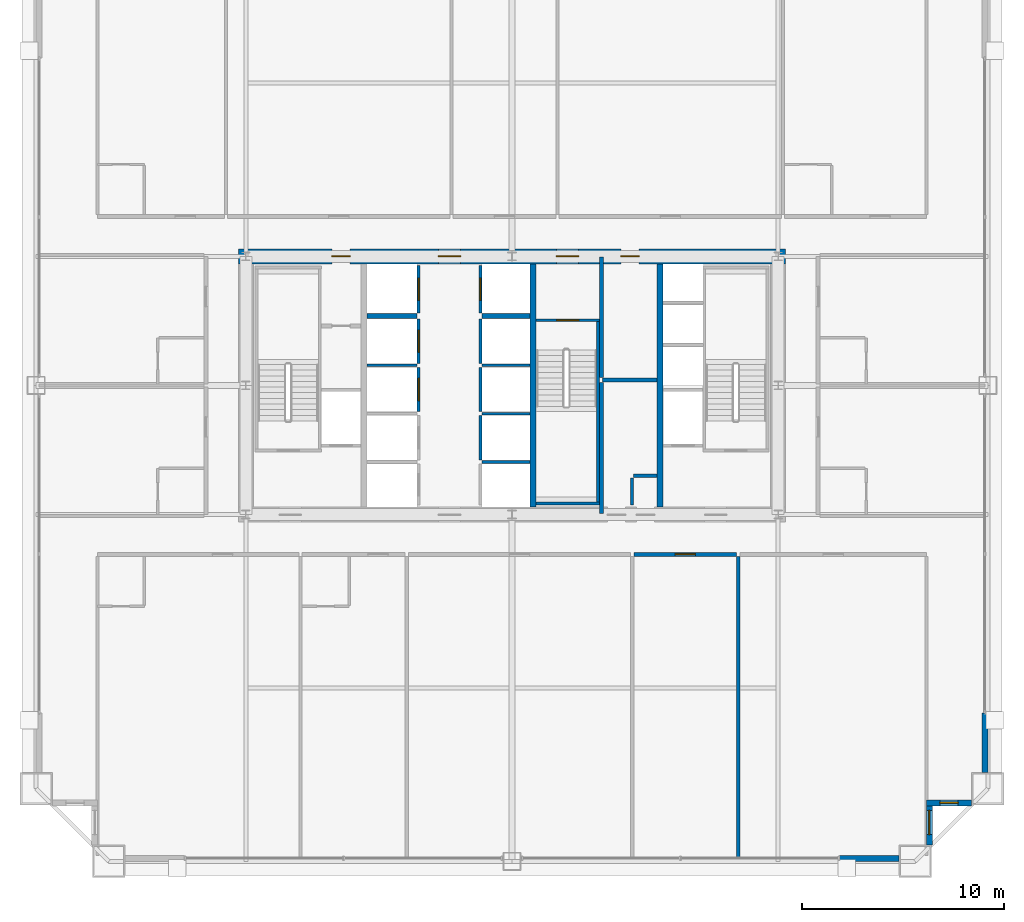
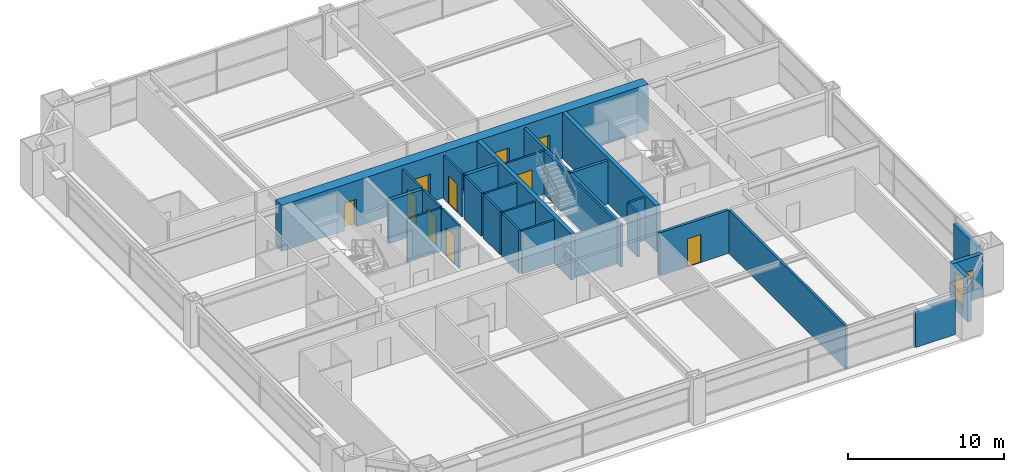
# One storey, part 36 of 39: 30 walls, 10 doors, 2 windows, 12 openings.
"""IFC4 building model written with IfcOpenShell, lengths in metres."""

import ifcopenshell
import ifcopenshell.guid

model = None  # the IFC model being written
_history = None  # IfcOwnerHistory: only IFC2X3 demands one
_inside = {}  # id of a spatial element -> (the spatial element, [elements in it])
_under = {}  # id of a project, library or spatial element -> (it, [spatial elements below it])
_declared = {}  # id of a project -> (the project, [libraries it declares])
_typed = {}  # id of a type object -> (the type object, [elements of that type])
_made_of = {}  # id of a material, layer set ... -> (it, [elements and type objects made of it])


def new_model(schema):
    """Start an empty IFC model of exactly this schema.

    Asked for "IFC4X3", IfcOpenShell would pick the latest addendum, in which some entities
    have other attributes; the version numbers below select the first issue.
    IFC2X3 requires an IfcOwnerHistory on every rooted entity: one is made here for all.
    """
    global model, _history
    if schema == "IFC4X3":
        model = ifcopenshell.file(schema_version=(4, 3, 0, 0))
    else:
        model = ifcopenshell.file(schema=schema)
    _inside.clear()
    _under.clear()
    _declared.clear()
    _typed.clear()
    _made_of.clear()
    _history = None
    if model.schema == "IFC2X3":
        org = make("IfcOrganization", Name="unknown")
        user = make(
            "IfcPersonAndOrganization",
            ThePerson=make("IfcPerson", FamilyName="unknown"),
            TheOrganization=org,
        )
        app = make(
            "IfcApplication",
            ApplicationDeveloper=org,
            Version="unknown",
            ApplicationFullName="unknown",
            ApplicationIdentifier="unknown",
        )
        _history = make(
            "IfcOwnerHistory",
            OwningUser=user,
            OwningApplication=app,
            ChangeAction="ADDED",
            CreationDate=0,
        )
    return model


def make(cls, **values):
    """One entity of the class cls with the attributes given. An attribute that is None is left unset."""
    return model.create_entity(
        cls, **{name: value for name, value in values.items() if value is not None}
    )


def rooted(cls, **values):
    """An entity with a GlobalId (a new one), such as an element, a storey or a relation."""
    return make(cls, GlobalId=ifcopenshell.guid.new(), OwnerHistory=_history, **values)


def si_unit(unit_type, name, prefix=None):
    """IfcSIUnit, for example si_unit("LENGTHUNIT", "METRE", prefix="MILLI")."""
    return make("IfcSIUnit", UnitType=unit_type, Prefix=prefix, Name=name)


def assignment(units):
    """IfcUnitAssignment: the units of a project."""
    return None if units is None else make("IfcUnitAssignment", Units=units)


def point(xyz):
    """IfcCartesianPoint."""
    return None if xyz is None else make("IfcCartesianPoint", Coordinates=xyz)


def direction(xyz):
    """IfcDirection."""
    return None if xyz is None else make("IfcDirection", DirectionRatios=xyz)


def frame(location, z_axis=None, x_axis=None):
    """IfcAxis2Placement3D, a coordinate frame: its origin and axes. An axis left out is left unset."""
    return make(
        "IfcAxis2Placement3D",
        Location=point(location),
        Axis=direction(z_axis),
        RefDirection=direction(x_axis),
    )


def frame_2d(location, x_axis=None):
    """IfcAxis2Placement2D, a coordinate frame in the plane: its origin and x axis."""
    return make(
        "IfcAxis2Placement2D", Location=point(location), RefDirection=direction(x_axis)
    )


def origin():
    """The frame at (0, 0, 0) with its axes left unset."""
    return frame((0.0, 0.0, 0.0))


def place(relative_to, where):
    """IfcLocalPlacement: puts the frame where relative to a parent placement (None: the world)."""
    return make(
        "IfcLocalPlacement", PlacementRelTo=relative_to, RelativePlacement=where
    )


def context(
    kind, dimensions, precision=None, world=None, true_north=None, identifier=None
):
    """IfcGeometricRepresentationContext, for example the 3D "Model" context."""
    return make(
        "IfcGeometricRepresentationContext",
        ContextIdentifier=identifier,
        ContextType=kind,
        CoordinateSpaceDimension=dimensions,
        Precision=precision,
        WorldCoordinateSystem=world,
        TrueNorth=true_north,
    )


def subcontext(parent, identifier, kind, view, scale=None):
    """IfcGeometricRepresentationSubContext, for example "Body" below "Model"."""
    return make(
        "IfcGeometricRepresentationSubContext",
        ContextIdentifier=identifier,
        ContextType=kind,
        ParentContext=parent,
        TargetScale=scale,
        TargetView=view,
    )


def project(units=None, contexts=None):
    """IfcProject with its units and contexts."""
    return rooted(
        "IfcProject",
        Name="project",
        RepresentationContexts=contexts,
        UnitsInContext=assignment(units),
    )


def spatial(cls, under=None, at=None, **own):
    """A site, building, storey or space (cls), placed at a placement, below another one or the project."""
    s = rooted(cls, ObjectPlacement=at, **own)
    if under is not None:
        _under.setdefault(under.id(), (under, []))[1].append(s)
    return s


def profile(cls, at=None, kind="AREA", **sizes):
    """A parametric profile (cls). Its sizes go by their IFC names, for example OverallWidth=200.0."""
    return make(cls, ProfileType=kind, Position=at, **sizes)


def rectangle(**sizes):
    """IfcRectangleProfileDef."""
    return profile("IfcRectangleProfileDef", **sizes)


def extrude(swept, where, along, depth):
    """IfcExtrudedAreaSolid: the profile swept, set in the frame where, extruded along a direction by depth."""
    return make(
        "IfcExtrudedAreaSolid",
        SweptArea=swept,
        Position=where,
        ExtrudedDirection=direction(along),
        Depth=depth,
    )


def shape(context_of_items, identifier, shape_type, items):
    """IfcShapeRepresentation: the items that make up one representation, for example the "Body"."""
    return make(
        "IfcShapeRepresentation",
        ContextOfItems=context_of_items,
        RepresentationIdentifier=identifier,
        RepresentationType=shape_type,
        Items=items,
    )


def source(mapping_origin, context_of_items, identifier, shape_type, items):
    """IfcRepresentationMap: a shape defined once, which mapped items show again and again."""
    return make(
        "IfcRepresentationMap",
        MappingOrigin=mapping_origin,
        MappedRepresentation=shape(context_of_items, identifier, shape_type, items),
    )


def transform(
    local_origin,
    x_axis=None,
    y_axis=None,
    z_axis=None,
    scale=None,
    scale2=None,
    scale3=None,
    uniform=True,
):
    """IfcCartesianTransformationOperator3D, or its non-uniform kind. x_axis, y_axis, z_axis: its Axis1, 2, 3."""
    if uniform:
        return make(
            "IfcCartesianTransformationOperator3D",
            Axis1=direction(x_axis),
            Axis2=direction(y_axis),
            LocalOrigin=point(local_origin),
            Scale=scale,
            Axis3=direction(z_axis),
        )
    return make(
        "IfcCartesianTransformationOperator3DnonUniform",
        Axis1=direction(x_axis),
        Axis2=direction(y_axis),
        LocalOrigin=point(local_origin),
        Scale=scale,
        Axis3=direction(z_axis),
        Scale2=scale2,
        Scale3=scale3,
    )


def mapped(mapping_source, mapping_target):
    """IfcMappedItem: shows the shape of a source again, moved by a transform."""
    return make(
        "IfcMappedItem", MappingSource=mapping_source, MappingTarget=mapping_target
    )


def material(Name=None, Category=None):
    """IfcMaterial."""
    return make("IfcMaterial", Name=Name, Category=Category)


def layer(
    of_material, thickness, ventilated=None, Name=None, Category=None, Priority=None
):
    """IfcMaterialLayer: one layer of a wall or slab, of a material (None: an air gap)."""
    return make(
        "IfcMaterialLayer",
        Material=of_material,
        LayerThickness=thickness,
        IsVentilated=ventilated,
        Name=Name,
        Category=Category,
        Priority=Priority,
    )


def layer_set(layers, Name=None):
    """IfcMaterialLayerSet."""
    return make("IfcMaterialLayerSet", MaterialLayers=layers, LayerSetName=Name)


def made_of(thing, what):
    """Note that an element or type object is made of a material, layer set ...; save() writes the relation."""
    if what is not None:
        _made_of.setdefault(what.id(), (what, []))[1].append(thing)
    return thing


def type_object(cls, material=None, **own):
    """A type object (cls), such as IfcWallType, which elements share."""
    return made_of(rooted(cls, **own), material)


def element(
    cls,
    number,
    at=None,
    inside=None,
    cuts=None,
    type_object=None,
    material=None,
    context=None,
    identifier="Body",
    shape_type=None,
    held_by="IfcProductDefinitionShape",
    body=None,
    shapes=None,
    **own,
):
    """One element of the class cls, such as IfcWall. Its Tag is "e" and its number.

    at: its placement. inside: the storey or other place that contains it. cuts: it is an
    opening in that element (IfcRelVoidsElement). A single representation is given by context,
    identifier, shape_type and body (its items); several are given by shapes. held_by: the class
    of the entity that holds the representations. save() writes the other relations.
    """
    e = rooted(cls, Tag="e%d" % number, ObjectPlacement=at, **own)
    if body is not None:
        shapes = [shape(context, identifier, shape_type, body)]
    if shapes is not None:
        e.Representation = make(held_by, Representations=shapes)
    if inside is not None:
        _inside.setdefault(inside.id(), (inside, []))[1].append(e)
    if cuts is not None:
        rooted(
            "IfcRelVoidsElement", RelatingBuildingElement=cuts, RelatedOpeningElement=e
        )
    if type_object is not None:
        _typed.setdefault(type_object.id(), (type_object, []))[1].append(e)
    return made_of(e, material)


def fill(opening, filler):
    """IfcRelFillsElement: the door or window that sits in an opening."""
    return rooted(
        "IfcRelFillsElement",
        RelatingOpeningElement=opening,
        RelatedBuildingElement=filler,
    )


def aggregate(whole, parts):
    """IfcRelAggregates: a whole, such as a stair, and the parts it consists of."""
    return rooted("IfcRelAggregates", RelatingObject=whole, RelatedObjects=parts)


def save(model, path):
    """Write the relations noted so far, then the file.

    IfcRelAggregates (storeys below a building ...), IfcRelContainedInSpatialStructure (elements
    in a storey), IfcRelDefinesByType, IfcRelAssociatesMaterial and IfcRelDeclares: one each for
    every whole, place, type object, material and project.
    """
    for whole, parts in _under.values():
        aggregate(whole, parts)
    for where, things in _inside.values():
        rooted(
            "IfcRelContainedInSpatialStructure",
            RelatedElements=things,
            RelatingStructure=where,
        )
    for kind, things in _typed.values():
        rooted("IfcRelDefinesByType", RelatedObjects=things, RelatingType=kind)
    for what, things in _made_of.values():
        rooted("IfcRelAssociatesMaterial", RelatedObjects=things, RelatingMaterial=what)
    for by, libraries in _declared.values():
        rooted("IfcRelDeclares", RelatingContext=by, RelatedDefinitions=libraries)
    model.write(path)


model = new_model("IFC4")

# Units and contexts
model_context = context("Model", 3, precision=1e-05, world=origin(), true_north=direction((0.0, 1.0)))
body_context = subcontext(model_context, "Body", "Model", "MODEL_VIEW")
ifc_project = project(units=[si_unit("LENGTHUNIT", "METRE"), si_unit("AREAUNIT", "SQUARE_METRE"), si_unit("VOLUMEUNIT", "CUBIC_METRE"), si_unit("PLANEANGLEUNIT", "RADIAN"), si_unit("MASSUNIT", "GRAM", prefix="KILO"), si_unit("THERMODYNAMICTEMPERATUREUNIT", "KELVIN"), si_unit("POWERUNIT", "WATT")], contexts=[model_context])

# Site, building, storey
site_placement = place(None, origin())
site = spatial("IfcSite", under=ifc_project, at=site_placement, CompositionType="ELEMENT")
building_placement = place(site_placement, origin())
building = spatial("IfcBuilding", under=site, at=building_placement, Name="Yuzanri Waterfront Tower", CompositionType="ELEMENT")
storey_placement = place(building_placement, frame((0.0, 0.0, 141.60009765625)))
storey = spatial("IfcBuildingStorey", under=building, at=storey_placement, Name="L37", CompositionType="ELEMENT", Elevation=141.60009765625)

# Wall, opening, window
ifc_material_1 = material(Name="Honed Chongqing Dark Basalt Stone", Category="masonry")
ifc_layer_1 = layer(ifc_material_1, 0.300048828125)
ifc_layer_set_1 = layer_set([ifc_layer_1], Name="Honed Chongqing Dark Basalt Stone")
wall_type_1 = type_object("IfcWallType", Name="Bronze Rainscreen Insulated Spandrel Portal Wall 300", PredefinedType="SOLIDWALL", material=ifc_layer_set_1)
wall_1_placement = place(storey_placement, frame((57.550048828125, 5.10009765625, 0.0), z_axis=(0.0, 0.0, 1.0), x_axis=(1.0, 0.0, 0.0)))
wall_1 = element("IfcWall", 1, at=wall_1_placement, inside=storey, type_object=wall_type_1, Name="L37 Notched Corner Masonry Wall SE-X", PredefinedType="SOLIDWALL", context=body_context, shape_type="SweptSolid", body=[
    extrude(rectangle(XDim=2.25, YDim=0.300048828125, at=frame_2d((1.125, 0.0))), origin(), (0.0, 0.0, 1.0), 3.3798828125),
])
opening_1_placement = place(wall_1_placement, frame((0.675048828125, 0.0, 0.85009765625)))
opening_1 = element("IfcOpeningElement", 2, at=opening_1_placement, cuts=wall_1, Name="Opening WN-05", PredefinedType="OPENING", context=body_context, shape_type="SweptSolid", body=[
    extrude(rectangle(XDim=0.89990234375, YDim=1.5, at=frame_2d((0.449951171875, 0.75))), frame((0.0, 0.1650390625, 0.0), z_axis=(0.0, -1.0, 0.0), x_axis=(1.0, 0.0, 0.0)), (0.0, 0.0, 1.0), 0.329833984375),
])
ifc_material_2 = material(Name="Double-Silver Low-E Insulated Glass", Category="glass")
window_type_1 = type_object("IfcWindowType", Name="Anodized Bronze Service and Stairwell Smoke-Vent Window 900x1500", PartitioningType="SINGLE_PANEL", PredefinedType="WINDOW", material=ifc_material_2)
shared_shape_1 = source(origin(), body_context, "Body", "SweptSolid", [
    extrude(rectangle(XDim=0.89990234375, YDim=1.5, at=frame_2d((0.449951171875, 0.75))), frame((0.0, 0.030029296875, 0.0), z_axis=(0.0, -1.0, 0.0), x_axis=(1.0, 0.0, 0.0)), (0.0, 0.0, 1.0), 0.06005859375),
])
window_1_placement = place(opening_1_placement, origin())
window_1 = element("IfcWindow", 3, at=window_1_placement, inside=storey, type_object=window_type_1, Name="L37 Notched Corner Window SE-X", OverallHeight=1.5, OverallWidth=0.89990234375, PartitioningType="SINGLE_PANEL", PredefinedType="WINDOW", context=body_context, shape_type="MappedRepresentation", body=[
    mapped(shared_shape_1, transform((0.0, 0.0, 0.0), scale=1.0)),
])
fill(opening_1, window_1)

wall_2_placement = place(storey_placement, frame((57.699951171875, 3.0, 0.0), z_axis=(0.0, 0.0, 1.0), x_axis=(0.0, 1.0, 0.0)))
wall_2 = element("IfcWall", 4, at=wall_2_placement, inside=storey, type_object=wall_type_1, Name="L37 Notched Corner Masonry Wall SE-Y", PredefinedType="SOLIDWALL", context=body_context, shape_type="SweptSolid", body=[
    extrude(rectangle(XDim=2.25, YDim=0.300048828125, at=frame_2d((1.125, 0.0))), origin(), (0.0, 0.0, 1.0), 3.3798828125),
])
opening_2_placement = place(wall_2_placement, frame((0.52490234375, 0.0, 0.85009765625)))
opening_2 = element("IfcOpeningElement", 5, at=opening_2_placement, cuts=wall_2, Name="Opening WN-02", PredefinedType="OPENING", context=body_context, shape_type="SweptSolid", body=[
    extrude(rectangle(XDim=1.199951171875, YDim=2.10009765625, at=frame_2d((0.60009765625, 1.050048828125))), frame((0.0, 0.1650390625, 0.0), z_axis=(0.0, -1.0, 0.0), x_axis=(1.0, 0.0, 0.0)), (0.0, 0.0, 1.0), 0.329833984375),
])
ifc_material_3 = material(Name="Double-Silver Low-E Insulated Glass", Category="glass")
window_type_2 = type_object("IfcWindowType", Name="Anodized Bronze Notched Corner Deep-Set Slot Window 1200x2100", PartitioningType="SINGLE_PANEL", PredefinedType="WINDOW", material=ifc_material_3)
shared_shape_2 = source(origin(), body_context, "Body", "SweptSolid", [
    extrude(rectangle(XDim=1.199951171875, YDim=2.10009765625, at=frame_2d((0.60009765625, 1.050048828125))), frame((0.0, 0.030029296875, 0.0), z_axis=(0.0, -1.0, 0.0), x_axis=(1.0, 0.0, 0.0)), (0.0, 0.0, 1.0), 0.06005859375),
])
window_2_placement = place(opening_2_placement, origin())
window_2 = element("IfcWindow", 6, at=window_2_placement, inside=storey, type_object=window_type_2, Name="L37 Notched Corner Window SE-Y", OverallHeight=2.10009765625, OverallWidth=1.199951171875, PartitioningType="SINGLE_PANEL", PredefinedType="WINDOW", context=body_context, shape_type="MappedRepresentation", body=[
    mapped(shared_shape_2, transform((0.0, 0.0, 0.0), scale=1.0)),
])
fill(opening_2, window_2)

# Wall, openings, doors
ifc_material_4 = material(Name="Concrete C55", Category="concrete")
ifc_layer_2 = layer(ifc_material_4, 0.75)
ifc_layer_set_2 = layer_set([ifc_layer_2], Name="Concrete C55")
wall_type_2 = type_object("IfcWallType", Name="Concrete C55 Low-Mid Zone Core Shear Wall 750", PredefinedType="SHEAR", material=ifc_layer_set_2)
wall_3_placement = place(storey_placement, frame((23.425048828125, 32.199951171875, 0.0), z_axis=(0.0, 0.0, 1.0), x_axis=(1.0, 0.0, 0.0)))
wall_3 = element("IfcWall", 7, at=wall_3_placement, inside=storey, type_object=wall_type_2, Name="L37 Core North Shear Wall", PredefinedType="SHEAR", context=body_context, shape_type="SweptSolid", body=[
    extrude(rectangle(XDim=27.14990234375, YDim=0.75, at=frame_2d((13.574951171875, 0.0))), origin(), (0.0, 0.0, 1.0), 3.599853515625),
])
opening_3_placement = place(wall_3_placement, frame((4.64501953125, 0.0, 0.0)))
opening_3 = element("IfcOpeningElement", 8, at=opening_3_placement, cuts=wall_3, Name="Opening FD-0900", PredefinedType="OPENING", context=body_context, shape_type="SweptSolid", body=[
    extrude(rectangle(XDim=0.89990234375, YDim=2.14990234375, at=frame_2d((0.449951171875, 1.074951171875))), frame((0.0, 0.389892578125, 0.0), z_axis=(0.0, -1.0, 0.0), x_axis=(1.0, 0.0, 0.0)), (0.0, 0.0, 1.0), 0.77978515625),
])
opening_4_placement = place(wall_3_placement, frame((9.925048828125, 0.0, 0.0)))
opening_4 = element("IfcOpeningElement", 9, at=opening_4_placement, cuts=wall_3, Name="Opening FD-1100", PredefinedType="OPENING", context=body_context, shape_type="SweptSolid", body=[
    extrude(rectangle(XDim=1.10009765625, YDim=2.199951171875, at=frame_2d((0.550048828125, 1.10009765625))), frame((0.0, 0.389892578125, 0.0), z_axis=(0.0, -1.0, 0.0), x_axis=(1.0, 0.0, 0.0)), (0.0, 0.0, 1.0), 0.77978515625),
])
opening_5_placement = place(wall_3_placement, frame((15.77490234375, 0.0, 0.0)))
opening_5 = element("IfcOpeningElement", 10, at=opening_5_placement, cuts=wall_3, Name="Opening FD-1100", PredefinedType="OPENING", context=body_context, shape_type="SweptSolid", body=[
    extrude(rectangle(XDim=1.10009765625, YDim=2.199951171875, at=frame_2d((0.550048828125, 1.10009765625))), frame((0.0, 0.389892578125, 0.0), z_axis=(0.0, -1.0, 0.0), x_axis=(1.0, 0.0, 0.0)), (0.0, 0.0, 1.0), 0.77978515625),
])
opening_6_placement = place(wall_3_placement, frame((18.97509765625, 0.0, 0.0)))
opening_6 = element("IfcOpeningElement", 11, at=opening_6_placement, cuts=wall_3, Name="Opening FD-0900", PredefinedType="OPENING", context=body_context, shape_type="SweptSolid", body=[
    extrude(rectangle(XDim=0.89990234375, YDim=2.14990234375, at=frame_2d((0.449951171875, 1.074951171875))), frame((0.0, 0.389892578125, 0.0), z_axis=(0.0, -1.0, 0.0), x_axis=(1.0, 0.0, 0.0)), (0.0, 0.0, 1.0), 0.77978515625),
])
ifc_material_5 = material(Name="Painted Galvanized Fire Steel", Category="steel")
door_type_1 = type_object("IfcDoorType", Name="Smoke-Proof Stair and Lobby Fire Door 1100x2200", OperationType="NOTDEFINED", PredefinedType="DOOR", material=ifc_material_5)
shared_shape_3 = source(origin(), body_context, "Body", "SweptSolid", [
    extrude(rectangle(XDim=1.10009765625, YDim=2.199951171875, at=frame_2d((0.550048828125, 1.10009765625))), frame((0.0, 0.02490234375, 0.0), z_axis=(0.0, -1.0, 0.0), x_axis=(1.0, 0.0, 0.0)), (0.0, 0.0, 1.0), 0.050048828125),
])
door_1_placement = place(opening_4_placement, origin())
door_1 = element("IfcDoor", 12, at=door_1_placement, inside=storey, type_object=door_type_1, Name="L37 Central Lift Lobby North Door", OperationType="SINGLE_SWING_LEFT", OverallHeight=2.199951171875, OverallWidth=1.10009765625, PredefinedType="DOOR", context=body_context, shape_type="MappedRepresentation", body=[
    mapped(shared_shape_3, transform((0.0, 0.0, 0.0), scale=1.0)),
])
fill(opening_4, door_1)
door_2_placement = place(opening_5_placement, origin())
door_2 = element("IfcDoor", 13, at=door_2_placement, inside=storey, type_object=door_type_1, Name="L37 North Stair Lobby Door", OperationType="SINGLE_SWING_RIGHT", OverallHeight=2.199951171875, OverallWidth=1.10009765625, PredefinedType="DOOR", context=body_context, shape_type="MappedRepresentation", body=[
    mapped(shared_shape_3, transform((0.0, 0.0, 0.0), scale=1.0)),
])
fill(opening_5, door_2)
ifc_material_6 = material(Name="Painted Galvanized Fire Steel", Category="steel")
door_type_2 = type_object("IfcDoorType", Name="Riser and Service Room Fire Door 900x2150", OperationType="NOTDEFINED", PredefinedType="DOOR", material=ifc_material_6)
shared_shape_4 = source(origin(), body_context, "Body", "SweptSolid", [
    extrude(rectangle(XDim=0.89990234375, YDim=2.14990234375, at=frame_2d((0.449951171875, 1.074951171875))), frame((0.0, 0.02490234375, 0.0), z_axis=(0.0, -1.0, 0.0), x_axis=(1.0, 0.0, 0.0)), (0.0, 0.0, 1.0), 0.050048828125),
])
door_3_placement = place(opening_3_placement, origin())
door_3 = element("IfcDoor", 14, at=door_3_placement, inside=storey, type_object=door_type_2, Name="L37 Telecom Riser Door", OperationType="SINGLE_SWING_RIGHT", OverallHeight=2.14990234375, OverallWidth=0.89990234375, PredefinedType="DOOR", context=body_context, shape_type="MappedRepresentation", body=[
    mapped(shared_shape_4, transform((0.0, 0.0, 0.0), scale=1.0)),
])
fill(opening_3, door_3)
door_4_placement = place(opening_6_placement, origin())
door_4 = element("IfcDoor", 15, at=door_4_placement, inside=storey, type_object=door_type_2, Name="L37 Housekeeping Room", OperationType="SINGLE_SWING_RIGHT", OverallHeight=2.14990234375, OverallWidth=0.89990234375, PredefinedType="DOOR", context=body_context, shape_type="MappedRepresentation", body=[
    mapped(shared_shape_4, transform((0.0, 0.0, 0.0), scale=1.0)),
])
fill(opening_6, door_4)

# Wall, opening, door
ifc_material_7 = material(Name="Concrete C40", Category="concrete")
ifc_layer_3 = layer(ifc_material_7, 0.139892578125)
ifc_layer_set_3 = layer_set([ifc_layer_3], Name="Concrete C40")
wall_type_3 = type_object("IfcWallType", Name="Core Stair Liner and Hoistway Shaft Wall 140", PredefinedType="SOLIDWALL", material=ifc_layer_set_3)
wall_4_placement = place(storey_placement, frame((32.3701171875, 24.5, 0.0), z_axis=(0.0, 0.0, 1.0), x_axis=(0.0, 1.0, 0.0)))
wall_4 = element("IfcWall", 16, at=wall_4_placement, inside=storey, type_object=wall_type_3, Name="L37 Lift PL-03 Front Shaft Wall", PredefinedType="SOLIDWALL", context=body_context, shape_type="SweptSolid", body=[
    extrude(rectangle(XDim=2.199951171875, YDim=0.139892578125, at=frame_2d((1.10009765625, 0.0))), origin(), (0.0, 0.0, 1.0), 3.3798828125),
])
opening_7_placement = place(wall_4_placement, frame((0.550048828125, 0.0, 0.0)))
opening_7 = element("IfcOpeningElement", 17, at=opening_7_placement, cuts=wall_4, Name="Opening LD-PL-03", PredefinedType="OPENING", context=body_context, shape_type="SweptSolid", body=[
    extrude(rectangle(XDim=1.10009765625, YDim=2.199951171875, at=frame_2d((0.550048828125, 1.10009765625))), frame((0.0, 0.0849609375, 0.0), z_axis=(0.0, -1.0, 0.0), x_axis=(1.0, 0.0, 0.0)), (0.0, 0.0, 1.0), 0.169677734375),
])
ifc_material_8 = material(Name="Brushed Bronze and Stainless Steel Cab", Category="steel")
door_type_3 = type_object("IfcDoorType", Name="Center-Parting Bronze Lift Landing Sliding Door 1100x2200", OperationType="NOTDEFINED", PredefinedType="DOOR", material=ifc_material_8)
shared_shape_5 = source(origin(), body_context, "Body", "SweptSolid", [
    extrude(rectangle(XDim=1.10009765625, YDim=2.199951171875, at=frame_2d((0.550048828125, 1.10009765625))), frame((0.0, 0.02490234375, 0.0), z_axis=(0.0, -1.0, 0.0), x_axis=(1.0, 0.0, 0.0)), (0.0, 0.0, 1.0), 0.050048828125),
])
door_5_placement = place(opening_7_placement, origin())
door_5 = element("IfcDoor", 18, at=door_5_placement, inside=storey, type_object=door_type_3, Name="L37 PL-03 Lift Landing Sliding Door", OperationType="SLIDING_TO_LEFT", OverallHeight=2.199951171875, OverallWidth=1.10009765625, PredefinedType="DOOR", context=body_context, shape_type="MappedRepresentation", body=[
    mapped(shared_shape_5, transform((0.0, 0.0, 0.0), scale=1.0)),
])
fill(opening_7, door_5)

wall_5_placement = place(storey_placement, frame((32.3701171875, 26.89990234375, 0.0), z_axis=(0.0, 0.0, 1.0), x_axis=(0.0, 1.0, 0.0)))
wall_5 = element("IfcWall", 19, at=wall_5_placement, inside=storey, type_object=wall_type_3, Name="L37 Lift PL-04 Front Shaft Wall", PredefinedType="SOLIDWALL", context=body_context, shape_type="SweptSolid", body=[
    extrude(rectangle(XDim=2.2001953125, YDim=0.139892578125, at=frame_2d((1.10009765625, 0.0))), origin(), (0.0, 0.0, 1.0), 3.3798828125),
])
opening_8_placement = place(wall_5_placement, frame((0.550048828125, 0.0, 0.0)))
opening_8 = element("IfcOpeningElement", 20, at=opening_8_placement, cuts=wall_5, Name="Opening LD-PL-04", PredefinedType="OPENING", context=body_context, shape_type="SweptSolid", body=[
    extrude(rectangle(XDim=1.10009765625, YDim=2.199951171875, at=frame_2d((0.550048828125, 1.10009765625))), frame((0.0, 0.0849609375, 0.0), z_axis=(0.0, -1.0, 0.0), x_axis=(1.0, 0.0, 0.0)), (0.0, 0.0, 1.0), 0.169677734375),
])
door_6_placement = place(opening_8_placement, origin())
door_6 = element("IfcDoor", 21, at=door_6_placement, inside=storey, type_object=door_type_3, Name="L37 PL-04 Lift Landing Sliding Door", OperationType="SLIDING_TO_RIGHT", OverallHeight=2.199951171875, OverallWidth=1.10009765625, PredefinedType="DOOR", context=body_context, shape_type="MappedRepresentation", body=[
    mapped(shared_shape_5, transform((0.0, 0.0, 0.0), scale=1.0)),
])
fill(opening_8, door_6)

wall_6_placement = place(storey_placement, frame((32.3701171875, 29.39990234375, 0.0), z_axis=(0.0, 0.0, 1.0), x_axis=(0.0, 1.0, 0.0)))
wall_6 = element("IfcWall", 22, at=wall_6_placement, inside=storey, type_object=wall_type_3, Name="L37 Lift SL-01 Front Shaft Wall", PredefinedType="SOLIDWALL", context=body_context, shape_type="SweptSolid", body=[
    extrude(rectangle(XDim=2.340087890625, YDim=0.139892578125, at=frame_2d((1.169921875, 0.0))), origin(), (0.0, 0.0, 1.0), 3.3798828125),
])
opening_9_placement = place(wall_6_placement, frame((0.6201171875, 0.0, 0.0)))
opening_9 = element("IfcOpeningElement", 23, at=opening_9_placement, cuts=wall_6, Name="Opening LD-SL-01", PredefinedType="OPENING", context=body_context, shape_type="SweptSolid", body=[
    extrude(rectangle(XDim=1.10009765625, YDim=2.199951171875, at=frame_2d((0.550048828125, 1.10009765625))), frame((0.0, 0.0849609375, 0.0), z_axis=(0.0, -1.0, 0.0), x_axis=(1.0, 0.0, 0.0)), (0.0, 0.0, 1.0), 0.169677734375),
])
door_7_placement = place(opening_9_placement, origin())
door_7 = element("IfcDoor", 24, at=door_7_placement, inside=storey, type_object=door_type_3, Name="L37 SL-01 Lift Landing Sliding Door", OperationType="SLIDING_TO_LEFT", OverallHeight=2.199951171875, OverallWidth=1.10009765625, PredefinedType="DOOR", context=body_context, shape_type="MappedRepresentation", body=[
    mapped(shared_shape_5, transform((0.0, 0.0, 0.0), scale=1.0)),
])
fill(opening_9, door_7)

wall_7_placement = place(storey_placement, frame((35.429931640625, 29.39990234375, 0.0), z_axis=(0.0, 0.0, 1.0), x_axis=(0.0, 1.0, 0.0)))
wall_7 = element("IfcWall", 25, at=wall_7_placement, inside=storey, type_object=wall_type_3, Name="L37 Lift SL-02 Front Shaft Wall", PredefinedType="SOLIDWALL", context=body_context, shape_type="SweptSolid", body=[
    extrude(rectangle(XDim=2.340087890625, YDim=0.139892578125, at=frame_2d((1.169921875, 0.0))), origin(), (0.0, 0.0, 1.0), 3.3798828125),
])
opening_10_placement = place(wall_7_placement, frame((0.6201171875, 0.0, 0.0)))
opening_10 = element("IfcOpeningElement", 26, at=opening_10_placement, cuts=wall_7, Name="Opening LD-SL-02", PredefinedType="OPENING", context=body_context, shape_type="SweptSolid", body=[
    extrude(rectangle(XDim=1.10009765625, YDim=2.199951171875, at=frame_2d((0.550048828125, 1.10009765625))), frame((0.0, 0.0849609375, 0.0), z_axis=(0.0, -1.0, 0.0), x_axis=(1.0, 0.0, 0.0)), (0.0, 0.0, 1.0), 0.169677734375),
])
door_8_placement = place(opening_10_placement, origin())
door_8 = element("IfcDoor", 27, at=door_8_placement, inside=storey, type_object=door_type_3, Name="L37 SL-02 Lift Landing Sliding Door", OperationType="SLIDING_TO_RIGHT", OverallHeight=2.199951171875, OverallWidth=1.10009765625, PredefinedType="DOOR", context=body_context, shape_type="MappedRepresentation", body=[
    mapped(shared_shape_5, transform((0.0, 0.0, 0.0), scale=1.0)),
])
fill(opening_10, door_8)

wall_8_placement = place(storey_placement, frame((38.199951171875, 29.030029296875, 0.0), z_axis=(0.0, 0.0, 1.0), x_axis=(1.0, 0.0, 0.0)))
wall_8 = element("IfcWall", 28, at=wall_8_placement, inside=storey, type_object=wall_type_3, Name="L37 Shaft Wall STW-L37-ST-03-N", PredefinedType="SOLIDWALL", context=body_context, shape_type="SweptSolid", body=[
    extrude(rectangle(XDim=3.14013671875, YDim=0.139892578125, at=frame_2d((1.570068359375, 0.0))), origin(), (0.0, 0.0, 1.0), 3.3798828125),
])
opening_11_placement = place(wall_8_placement, frame((1.02001953125, 0.0, 0.0)))
opening_11 = element("IfcOpeningElement", 29, at=opening_11_placement, cuts=wall_8, Name="Opening FD-1100", PredefinedType="OPENING", context=body_context, shape_type="SweptSolid", body=[
    extrude(rectangle(XDim=1.10009765625, YDim=2.199951171875, at=frame_2d((0.550048828125, 1.10009765625))), frame((0.0, 0.0849609375, 0.0), z_axis=(0.0, -1.0, 0.0), x_axis=(1.0, 0.0, 0.0)), (0.0, 0.0, 1.0), 0.169677734375),
])
door_9_placement = place(opening_11_placement, origin())
door_9 = element("IfcDoor", 30, at=door_9_placement, inside=storey, type_object=door_type_1, Name="L37 Stair ST-03 Fire Door", OperationType="SINGLE_SWING_RIGHT", OverallHeight=2.199951171875, OverallWidth=1.10009765625, PredefinedType="DOOR", context=body_context, shape_type="MappedRepresentation", body=[
    mapped(shared_shape_3, transform((0.0, 0.0, 0.0), scale=1.0)),
])
fill(opening_11, door_9)

ifc_material_9 = material(Name="Autoclaved Aerated Concrete Blockwork", Category="masonry")
ifc_layer_4 = layer(ifc_material_9, 0.199951171875)
ifc_layer_set_4 = layer_set([ifc_layer_4], Name="Autoclaved Aerated Concrete Blockwork")
wall_type_4 = type_object("IfcWallType", Name="Corridor and Unit Party Fire Wall 200", PredefinedType="PARTITIONING", material=ifc_layer_set_4)
wall_9_placement = place(storey_placement, frame((43.0419921875, 17.419921875, 0.0), z_axis=(0.0, 0.0, 1.0), x_axis=(1.0, 0.0, 0.0)))
wall_9 = element("IfcWall", 31, at=wall_9_placement, inside=storey, type_object=wall_type_4, Name="L37 Partition UW-L37-S4-CN", PredefinedType="PARTITIONING", context=body_context, shape_type="SweptSolid", body=[
    extrude(rectangle(XDim=5.10400390625, YDim=0.199951171875, at=frame_2d((2.552001953125, 0.0))), origin(), (0.0, 0.0, 1.0), 3.3798828125),
])
opening_12_placement = place(wall_9_placement, frame((2.052001953125, 0.0, 0.0)))
opening_12 = element("IfcOpeningElement", 32, at=opening_12_placement, cuts=wall_9, Name="Opening FD-1000", PredefinedType="OPENING", context=body_context, shape_type="SweptSolid", body=[
    extrude(rectangle(XDim=1.0, YDim=2.199951171875, at=frame_2d((0.5, 1.10009765625))), frame((0.0, 0.11474609375, 0.0), z_axis=(0.0, -1.0, 0.0), x_axis=(1.0, 0.0, 0.0)), (0.0, 0.0, 1.0), 0.229736328125),
])
ifc_material_10 = material(Name="Engineered Oak Fire-Rated Timber", Category="wood")
door_type_4 = type_object("IfcDoorType", Name="Guestroom and Apartment Entrance Fire Door 1000x2200", OperationType="NOTDEFINED", PredefinedType="DOOR", material=ifc_material_10)
shared_shape_6 = source(origin(), body_context, "Body", "SweptSolid", [
    extrude(rectangle(XDim=1.0, YDim=2.199951171875, at=frame_2d((0.5, 1.10009765625))), frame((0.0, 0.02490234375, 0.0), z_axis=(0.0, -1.0, 0.0), x_axis=(1.0, 0.0, 0.0)), (0.0, 0.0, 1.0), 0.050048828125),
])
door_10_placement = place(opening_12_placement, origin())
door_10 = element("IfcDoor", 33, at=door_10_placement, inside=storey, type_object=door_type_4, Name="L37 Pilates Gym Studio Entrance Door", OperationType="SINGLE_SWING_RIGHT", OverallHeight=2.199951171875, OverallWidth=1.0, PredefinedType="DOOR", context=body_context, shape_type="MappedRepresentation", body=[
    mapped(shared_shape_6, transform((0.0, 0.0, 0.0), scale=1.0)),
])
fill(opening_12, door_10)

# Walls
ifc_material_11 = material(Name="Concrete C50", Category="concrete")
ifc_layer_5 = layer(ifc_material_11, 0.300048828125)
ifc_layer_set_5 = layer_set([ifc_layer_5], Name="Concrete C50")
wall_type_5 = type_object("IfcWallType", Name="Concrete C50 Internal Core Shaft Structural Wall 300", PredefinedType="SOLIDWALL", material=ifc_layer_set_5)
shared_shape_7 = source(origin(), body_context, "Body", "SweptSolid", [
    extrude(rectangle(XDim=12.050048828125, YDim=0.300048828125, at=frame_2d((6.02490234375, 0.0))), origin(), (0.0, 0.0, 1.0), 3.599853515625),
])
for number, where, z_axis, x_axis, name in (
    (34, (38.050048828125, 19.77490234375, 0.0), (0.0, 0.0, 1.0), (0.0, 1.0, 0.0), "L37 Core Internal Structural Web Wall 2"),
    (35, (44.35009765625, 19.77490234375, 0.0), (0.0, 0.0, 1.0), (0.0, 1.0, 0.0), "L37 Core Internal Structural Web Wall 3"),
):
    element("IfcWall", number, at=place(storey_placement, frame(where, z_axis=z_axis, x_axis=x_axis)), inside=storey, type_object=wall_type_5, Name=name, PredefinedType="SOLIDWALL", context=body_context, shape_type="MappedRepresentation", body=[
        mapped(shared_shape_7, transform((0.0, 0.0, 0.0), scale=1.0)),
    ])
shared_shape_8 = source(origin(), body_context, "Body", "SweptSolid", [
    extrude(rectangle(XDim=2.949951171875, YDim=0.300048828125, at=frame_2d((1.47509765625, 0.0))), origin(), (0.0, 0.0, 1.0), 2.77490234375),
])
for number, where, z_axis, x_axis, name in (
    (36, (53.25, 2.35009765625, 0.0), (0.0, 0.0, 1.0), (1.0, 0.0, 0.0), "L37 S Right Braced Masonry Shoulder"),
    (37, (60.449951171875, 6.60009765625, 0.0), (0.0, 0.0, 1.0), (0.0, 1.0, 0.0), "L37 E Left Braced Masonry Shoulder"),
):
    element("IfcWall", number, at=place(storey_placement, frame(where, z_axis=z_axis, x_axis=x_axis)), inside=storey, type_object=wall_type_1, Name=name, PredefinedType="SOLIDWALL", context=body_context, shape_type="MappedRepresentation", body=[
        mapped(shared_shape_8, transform((0.0, 0.0, 0.0), scale=1.0)),
    ])
shared_shape_9 = source(origin(), body_context, "Body", "SweptSolid", [
    extrude(rectangle(XDim=2.5, YDim=0.139892578125, at=frame_2d((1.25, 0.0))), origin(), (0.0, 0.0, 1.0), 3.3798828125),
])
wall_10_placement = place(storey_placement, frame((29.800048828125, 26.800048828125, 0.0), z_axis=(0.0, 0.0, 1.0), x_axis=(1.0, 0.0, 0.0)))
element("IfcWall", 38, at=wall_10_placement, inside=storey, type_object=wall_type_3, Name="L37 Lift PL-03 Divider Wall", PredefinedType="SOLIDWALL", context=body_context, shape_type="MappedRepresentation", body=[
    mapped(shared_shape_9, transform((0.0, 0.0, 0.0), scale=1.0)),
])
ifc_material_12 = material(Name="Concrete C40", Category="concrete")
ifc_layer_6 = layer(ifc_material_12, 0.25)
ifc_layer_set_6 = layer_set([ifc_layer_6], Name="Concrete C40")
wall_type_6 = type_object("IfcWallType", Name="Smoke-Proof Stair and Lift Shaft Wall 250", PredefinedType="SOLIDWALL", material=ifc_layer_set_6)
shared_shape_10 = source(origin(), body_context, "Body", "SweptSolid", [
    extrude(rectangle(XDim=2.5, YDim=0.25, at=frame_2d((1.25, 0.0))), origin(), (0.0, 0.0, 1.0), 3.3798828125),
])
wall_11_placement = place(storey_placement, frame((29.800048828125, 29.25, 0.0), z_axis=(0.0, 0.0, 1.0), x_axis=(1.0, 0.0, 0.0)))
element("IfcWall", 39, at=wall_11_placement, inside=storey, type_object=wall_type_6, Name="L37 Lift SL-01 South Shaft Wall", PredefinedType="SOLIDWALL", context=body_context, shape_type="MappedRepresentation", body=[
    mapped(shared_shape_10, transform((0.0, 0.0, 0.0), scale=1.0)),
])
shared_shape_11 = source(origin(), body_context, "Body", "SweptSolid", [
    extrude(rectangle(XDim=2.39990234375, YDim=0.139892578125, at=frame_2d((1.199951171875, 0.0))), origin(), (0.0, 0.0, 1.0), 3.3798828125),
])
for number, where, z_axis, x_axis, name in (
    (40, (35.5, 22.0, 0.0), (0.0, 0.0, 1.0), (1.0, 0.0, 0.0), "L37 Lift PL-05 Divider Wall"),
    (41, (35.5, 24.39990234375, 0.0), (0.0, 0.0, 1.0), (1.0, 0.0, 0.0), "L37 Lift PL-06 Divider Wall"),
    (42, (35.5, 26.800048828125, 0.0), (0.0, 0.0, 1.0), (1.0, 0.0, 0.0), "L37 Lift PL-07 Divider Wall"),
):
    element("IfcWall", number, at=place(storey_placement, frame(where, z_axis=z_axis, x_axis=x_axis)), inside=storey, type_object=wall_type_3, Name=name, PredefinedType="SOLIDWALL", context=body_context, shape_type="MappedRepresentation", body=[
        mapped(shared_shape_11, transform((0.0, 0.0, 0.0), scale=1.0)),
    ])
shared_shape_12 = source(origin(), body_context, "Body", "SweptSolid", [
    extrude(rectangle(XDim=2.199951171875, YDim=0.139892578125, at=frame_2d((1.10009765625, 0.0))), origin(), (0.0, 0.0, 1.0), 3.3798828125),
])
for number, where, z_axis, x_axis, name in (
    (43, (35.429931640625, 22.10009765625, 0.0), (0.0, 0.0, 1.0), (0.0, 1.0, 0.0), "L37 Lift PL-06 Front Shaft Wall"),
    (44, (35.429931640625, 24.5, 0.0), (0.0, 0.0, 1.0), (0.0, 1.0, 0.0), "L37 Lift PL-07 Front Shaft Wall"),
):
    element("IfcWall", number, at=place(storey_placement, frame(where, z_axis=z_axis, x_axis=x_axis)), inside=storey, type_object=wall_type_3, Name=name, PredefinedType="SOLIDWALL", context=body_context, shape_type="MappedRepresentation", body=[
        mapped(shared_shape_12, transform((0.0, 0.0, 0.0), scale=1.0)),
    ])
shared_shape_13 = source(origin(), body_context, "Body", "SweptSolid", [
    extrude(rectangle(XDim=2.2001953125, YDim=0.139892578125, at=frame_2d((1.10009765625, 0.0))), origin(), (0.0, 0.0, 1.0), 3.3798828125),
])
wall_12_placement = place(storey_placement, frame((35.429931640625, 26.89990234375, 0.0), z_axis=(0.0, 0.0, 1.0), x_axis=(0.0, 1.0, 0.0)))
element("IfcWall", 45, at=wall_12_placement, inside=storey, type_object=wall_type_3, Name="L37 Lift PL-08 Front Shaft Wall", PredefinedType="SOLIDWALL", context=body_context, shape_type="MappedRepresentation", body=[
    mapped(shared_shape_13, transform((0.0, 0.0, 0.0), scale=1.0)),
])
shared_shape_14 = source(origin(), body_context, "Body", "SweptSolid", [
    extrude(rectangle(XDim=2.39990234375, YDim=0.25, at=frame_2d((1.199951171875, 0.0))), origin(), (0.0, 0.0, 1.0), 3.3798828125),
])
wall_13_placement = place(storey_placement, frame((35.5, 29.25, 0.0), z_axis=(0.0, 0.0, 1.0), x_axis=(1.0, 0.0, 0.0)))
element("IfcWall", 46, at=wall_13_placement, inside=storey, type_object=wall_type_6, Name="L37 Lift SL-02 South Shaft Wall", PredefinedType="SOLIDWALL", context=body_context, shape_type="MappedRepresentation", body=[
    mapped(shared_shape_14, transform((0.0, 0.0, 0.0), scale=1.0)),
])
shared_shape_15 = source(origin(), body_context, "Body", "SweptSolid", [
    extrude(rectangle(XDim=3.14013671875, YDim=0.139892578125, at=frame_2d((1.570068359375, 0.0))), origin(), (0.0, 0.0, 1.0), 3.3798828125),
])
wall_14_placement = place(storey_placement, frame((38.199951171875, 19.949951171875, 0.0), z_axis=(0.0, 0.0, 1.0), x_axis=(1.0, 0.0, 0.0)))
element("IfcWall", 47, at=wall_14_placement, inside=storey, type_object=wall_type_3, Name="L37 Stair ST-03 South Shaft Wall", PredefinedType="SOLIDWALL", context=body_context, shape_type="MappedRepresentation", body=[
    mapped(shared_shape_15, transform((0.0, 0.0, 0.0), scale=1.0)),
])
shared_shape_16 = source(origin(), body_context, "Body", "SweptSolid", [
    extrude(rectangle(XDim=8.93994140625, YDim=0.139892578125, at=frame_2d((4.469970703125, 0.0))), origin(), (0.0, 0.0, 1.0), 3.3798828125),
])
wall_15_placement = place(storey_placement, frame((41.27001953125, 20.02001953125, 0.0), z_axis=(0.0, 0.0, 1.0), x_axis=(0.0, 1.0, 0.0)))
element("IfcWall", 48, at=wall_15_placement, inside=storey, type_object=wall_type_3, Name="L37 Stair ST-03 East Shaft Wall", PredefinedType="SOLIDWALL", context=body_context, shape_type="MappedRepresentation", body=[
    mapped(shared_shape_16, transform((0.0, 0.0, 0.0), scale=1.0)),
])
ifc_material_13 = material(Name="Gypsum Fireboard Acoustic Stud Wall", Category="gypsum")
ifc_layer_7 = layer(ifc_material_13, 0.159912109375)
ifc_layer_set_7 = layer_set([ifc_layer_7], Name="Gypsum Fireboard Acoustic Stud Wall")
wall_type_7 = type_object("IfcWallType", Name="Acoustic Suite Demising Partition 160", PredefinedType="PARTITIONING", material=ifc_layer_set_7)
shared_shape_17 = source(origin(), body_context, "Body", "SweptSolid", [
    extrude(rectangle(XDim=1.33984375, YDim=0.159912109375, at=frame_2d((0.669921875, 0.0))), origin(), (0.0, 0.0, 1.0), 3.3798828125),
])
wall_16_placement = place(storey_placement, frame((42.949951171875, 19.860107421875, 0.0), z_axis=(0.0, 0.0, 1.0), x_axis=(0.0, 1.0, 0.0)))
element("IfcWall", 49, at=wall_16_placement, inside=storey, type_object=wall_type_7, Name="L37 East Wet Riser West Wall", PredefinedType="PARTITIONING", context=body_context, shape_type="MappedRepresentation", body=[
    mapped(shared_shape_17, transform((0.0, 0.0, 0.0), scale=1.0)),
])
shared_shape_18 = source(origin(), body_context, "Body", "SweptSolid", [
    extrude(rectangle(XDim=1.169921875, YDim=0.159912109375, at=frame_2d((0.5849609375, 0.0))), origin(), (0.0, 0.0, 1.0), 3.3798828125),
])
wall_17_placement = place(storey_placement, frame((43.030029296875, 21.320068359375, 0.0), z_axis=(0.0, 0.0, 1.0), x_axis=(1.0, 0.0, 0.0)))
element("IfcWall", 50, at=wall_17_placement, inside=storey, type_object=wall_type_7, Name="L37 East Wet Riser North Wall", PredefinedType="PARTITIONING", context=body_context, shape_type="MappedRepresentation", body=[
    mapped(shared_shape_18, transform((0.0, 0.0, 0.0), scale=1.0)),
])
shared_shape_19 = source(origin(), body_context, "Body", "SweptSolid", [
    extrude(rectangle(XDim=6.510009765625, YDim=0.199951171875, at=frame_2d((3.2548828125, 0.0))), origin(), (0.0, 0.0, 1.0), 3.3798828125),
])
wall_18_placement = place(storey_placement, frame((41.449951171875, 19.43994140625, 0.0), z_axis=(0.0, 0.0, 1.0), x_axis=(0.0, 1.0, 0.0)))
element("IfcWall", 51, at=wall_18_placement, inside=storey, type_object=wall_type_4, Name="L37 Core BOH West Wall 1", PredefinedType="PARTITIONING", context=body_context, shape_type="MappedRepresentation", body=[
    mapped(shared_shape_19, transform((0.0, 0.0, 0.0), scale=1.0)),
])
shared_shape_20 = source(origin(), body_context, "Body", "SweptSolid", [
    extrude(rectangle(XDim=2.699951171875, YDim=0.199951171875, at=frame_2d((1.35009765625, 0.0))), origin(), (0.0, 0.0, 1.0), 3.3798828125),
])
wall_19_placement = place(storey_placement, frame((41.5, 26.070068359375, 0.0), z_axis=(0.0, 0.0, 1.0), x_axis=(1.0, 0.0, 0.0)))
element("IfcWall", 52, at=wall_19_placement, inside=storey, type_object=wall_type_4, Name="L37 Core BOH Split Wall 1", PredefinedType="PARTITIONING", context=body_context, shape_type="MappedRepresentation", body=[
    mapped(shared_shape_20, transform((0.0, 0.0, 0.0), scale=1.0)),
])
shared_shape_21 = source(origin(), body_context, "Body", "SweptSolid", [
    extrude(rectangle(XDim=5.9599609375, YDim=0.199951171875, at=frame_2d((2.97998046875, 0.0))), origin(), (0.0, 0.0, 1.0), 3.3798828125),
])
wall_20_placement = place(storey_placement, frame((41.449951171875, 26.199951171875, 0.0), z_axis=(0.0, 0.0, 1.0), x_axis=(0.0, 1.0, 0.0)))
element("IfcWall", 53, at=wall_20_placement, inside=storey, type_object=wall_type_4, Name="L37 Core BOH West Wall 2", PredefinedType="PARTITIONING", context=body_context, shape_type="MappedRepresentation", body=[
    mapped(shared_shape_21, transform((0.0, 0.0, 0.0), scale=1.0)),
])
shared_shape_22 = source(origin(), body_context, "Body", "SweptSolid", [
    extrude(rectangle(XDim=14.969970703125, YDim=0.159912109375, at=frame_2d((7.48486328125, 0.0))), origin(), (0.0, 0.0, 1.0), 3.3798828125),
])
wall_21_placement = place(storey_placement, frame((48.22607421875, 2.35009765625, 0.0), z_axis=(0.0, 0.0, 1.0), x_axis=(0.0, 1.0, 0.0)))
element("IfcWall", 54, at=wall_21_placement, inside=storey, type_object=wall_type_7, Name="L37-S4 Party Wall", PredefinedType="PARTITIONING", context=body_context, shape_type="MappedRepresentation", body=[
    mapped(shared_shape_22, transform((0.0, 0.0, 0.0), scale=1.0)),
])

save(model, "model.ifc")
